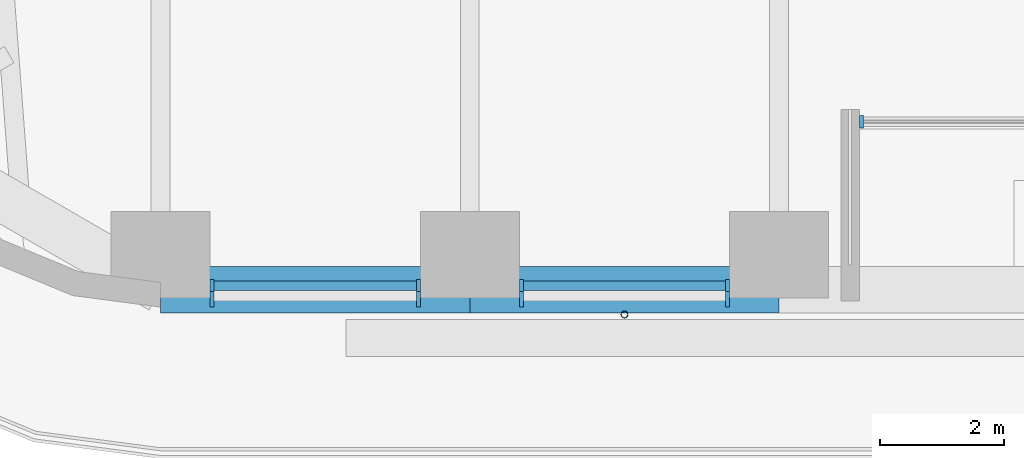
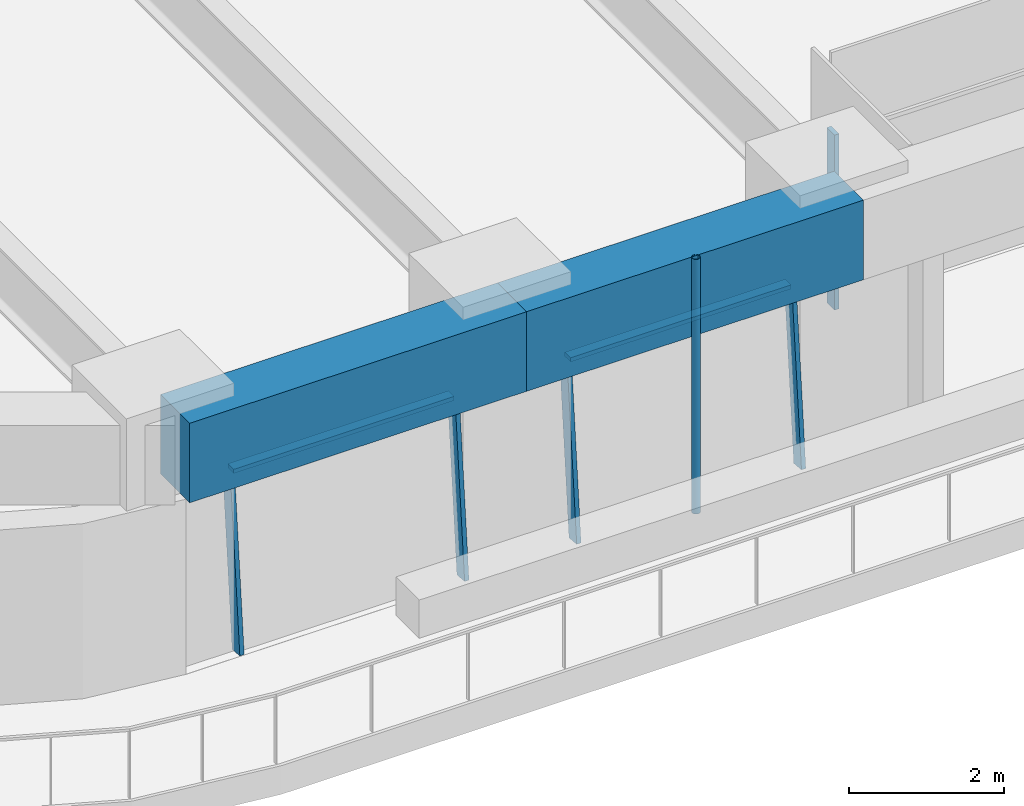
# One storey, part 2 of 24: 8 members, 2 beams, 3 elements without a shape of their own.
"""IFC4 building model written with IfcOpenShell, lengths in metres."""

from ifc_helpers import new_model, si_unit, direction, frame, origin, origin_2d, place, context, subcontext, project, spatial, rectangle, hollow_circle, extrude, material, material_profile, profile_set, type_object, element, aggregate, save


model = new_model("IFC4")

# Units and contexts
model_context = context("Model", 3, precision=1e-05, world=origin(), true_north=direction((0.0, 1.0)))
body_context = subcontext(model_context, "Body", "Model", "MODEL_VIEW")
ifc_project = project(units=[si_unit("LENGTHUNIT", "METRE"), si_unit("AREAUNIT", "SQUARE_METRE"), si_unit("VOLUMEUNIT", "CUBIC_METRE"), si_unit("PLANEANGLEUNIT", "RADIAN"), si_unit("MASSUNIT", "GRAM", prefix="KILO")], contexts=[model_context])

# Site, building, storey
site_placement = place(None, origin())
site = spatial("IfcSite", under=ifc_project, at=site_placement, CompositionType="ELEMENT")
building_placement = place(site_placement, origin())
building = spatial("IfcBuilding", under=site, at=building_placement, Name="Tarfa Lantern Tower", CompositionType="ELEMENT")
storey_placement = place(building_placement, frame((0.0, 0.0, 161.5)))
storey = spatial("IfcBuildingStorey", under=building, at=storey_placement, Name="L36", CompositionType="ELEMENT", Elevation=161.5)

# Curtain wall, members
ifc_material_1 = material(Name="Aluminium framed curtain wall", Category="aluminium")
curtain_wall_type_1 = type_object("IfcCurtainWallType", Name="CW2 CANTED GLAZING MID ZONE 2750", PredefinedType="USERDEFINED", material=ifc_material_1)
curtain_wall_1_placement = place(storey_placement, origin())
curtain_wall_1 = element("IfcCurtainWall", 1, at=curtain_wall_1_placement, inside=storey, type_object=curtain_wall_type_1, Name="CW2 S L36", ObjectType="CURTAIN WALL", PredefinedType="USERDEFINED")
ifc_material_2 = material(Name="Aluminium mullion", Category="aluminium")
ifc_material_profile_1 = material_profile(ifc_material_2, rectangle(XDim=0.06494140625, YDim=0.199951171875, at=origin_2d()), Name="AL MULLION 65x200")
ifc_profile_set_1 = profile_set([ifc_material_profile_1], Name="Aluminium mullion")
member_type_1 = type_object("IfcMemberType", Name="CWM1 MULLION 65x200", PredefinedType="MULLION", material=ifc_profile_set_1)
member_1_placement = place(storey_placement, frame((-14.1787109375, -31.39990234375, 0.0), z_axis=(0.0, 0.090535746043, 0.995893206468), x_axis=(-1.0, 0.0, 0.0)))
member_1 = element("IfcMember", 2, at=member_1_placement, type_object=member_type_1, Name="CW2 mullion 1", PredefinedType="MULLION", context=body_context, shape_type="SweptSolid", body=[
    extrude(rectangle(XDim=0.06494140625, YDim=0.199951171875, at=origin_2d()), origin(), (0.0, 0.0, 1.0), 2.76123046875),
])
member_2_placement = place(storey_placement, frame((-10.83984375, -31.39990234375, 0.0), z_axis=(0.0, 0.090535746043, 0.995893206468), x_axis=(-1.0, 0.0, 0.0)))
member_2 = element("IfcMember", 3, at=member_2_placement, type_object=member_type_1, Name="CW2 mullion 2", PredefinedType="MULLION", context=body_context, shape_type="SweptSolid", body=[
    extrude(rectangle(XDim=0.06494140625, YDim=0.199951171875, at=origin_2d()), origin(), (0.0, 0.0, 1.0), 2.76123046875),
])

curtain_wall_2_placement = place(storey_placement, origin())
curtain_wall_2 = element("IfcCurtainWall", 4, at=curtain_wall_2_placement, inside=storey, type_object=curtain_wall_type_1, Name="CW2 S L36", ObjectType="CURTAIN WALL", PredefinedType="USERDEFINED")
member_3_placement = place(storey_placement, frame((-9.1748046875, -31.39990234375, 0.0), z_axis=(0.0, 0.090535746043, 0.995893206468), x_axis=(-1.0, 0.0, 0.0)))
member_3 = element("IfcMember", 5, at=member_3_placement, type_object=member_type_1, Name="CW2 mullion 1", PredefinedType="MULLION", context=body_context, shape_type="SweptSolid", body=[
    extrude(rectangle(XDim=0.06494140625, YDim=0.199951171875, at=origin_2d()), origin(), (0.0, 0.0, 1.0), 2.76123046875),
])
member_4_placement = place(storey_placement, frame((-5.836181640625, -31.39990234375, 0.0), z_axis=(0.0, 0.090535746043, 0.995893206468), x_axis=(-1.0, 0.0, 0.0)))
member_4 = element("IfcMember", 6, at=member_4_placement, type_object=member_type_1, Name="CW2 mullion 2", PredefinedType="MULLION", context=body_context, shape_type="SweptSolid", body=[
    extrude(rectangle(XDim=0.06494140625, YDim=0.199951171875, at=origin_2d()), origin(), (0.0, 0.0, 1.0), 2.76123046875),
])

# Curtain wall, member
curtain_wall_type_2 = type_object("IfcCurtainWallType", Name="CW10 LOGGIA GLAZING 2750", PredefinedType="USERDEFINED", material=ifc_material_1)
curtain_wall_3_placement = place(storey_placement, origin())
curtain_wall_3 = element("IfcCurtainWall", 7, at=curtain_wall_3_placement, inside=storey, type_object=curtain_wall_type_2, Name="CW10 SL L36", ObjectType="CURTAIN WALL", PredefinedType="USERDEFINED")
member_5_placement = place(storey_placement, frame((-3.671142578125, -28.5, 0.0), z_axis=(0.0, 0.0, 1.0), x_axis=(1.0, 0.0, 0.0)))
member_5 = element("IfcMember", 8, at=member_5_placement, type_object=member_type_1, Name="CW10 mullion 1", PredefinedType="MULLION", context=body_context, shape_type="SweptSolid", body=[
    extrude(rectangle(XDim=0.06494140625, YDim=0.199951171875, at=origin_2d()), origin(), (0.0, 0.0, 1.0), 2.75),
])
aggregate(curtain_wall_3, [member_5])

# Member
ifc_material_3 = material(Name="Aluminium transom", Category="aluminium")
ifc_material_profile_2 = material_profile(ifc_material_3, rectangle(XDim=0.14990234375, YDim=0.06494140625, at=origin_2d()), Name="AL TRANSOM 150x65")
ifc_profile_set_2 = profile_set([ifc_material_profile_2], Name="Aluminium transom")
member_type_2 = type_object("IfcMemberType", Name="CWT1 TRANSOM 150x65", PredefinedType="USERDEFINED", material=ifc_profile_set_2)
member_6_placement = place(storey_placement, frame((-14.14599609375, -31.153076171875, 2.717529296875), z_axis=(1.0, 0.0, 0.0), x_axis=(0.0, 1.0, 0.0)))
member_6 = element("IfcMember", 9, at=member_6_placement, type_object=member_type_2, Name="CW2 transom 1.2", ObjectType="TRANSOM", PredefinedType="USERDEFINED", context=body_context, shape_type="SweptSolid", body=[
    extrude(rectangle(XDim=0.14990234375, YDim=0.06494140625, at=origin_2d()), origin(), (0.0, 0.0, 1.0), 3.273681640625),
])

aggregate(curtain_wall_1, [member_1, member_2, member_6])

member_7_placement = place(storey_placement, frame((-9.142333984375, -31.153076171875, 2.717529296875), z_axis=(1.0, 0.0, 0.0), x_axis=(0.0, 1.0, 0.0)))
member_7 = element("IfcMember", 10, at=member_7_placement, type_object=member_type_2, Name="CW2 transom 1.2", ObjectType="TRANSOM", PredefinedType="USERDEFINED", context=body_context, shape_type="SweptSolid", body=[
    extrude(rectangle(XDim=0.14990234375, YDim=0.06494140625, at=origin_2d()), origin(), (0.0, 0.0, 1.0), 3.273681640625),
])

aggregate(curtain_wall_2, [member_3, member_4, member_7])

# Beams
ifc_material_4 = material(Name="Concrete C80/95", Category="concrete")
ifc_material_profile_3 = material_profile(ifc_material_4, rectangle(XDim=0.75, YDim=1.25, at=origin_2d()), Name="RC 750x1250")
ifc_profile_set_3 = profile_set([ifc_material_profile_3], Name="Concrete C80/95")
beam_type = type_object("IfcBeamType", Name="EB2 RC 750x1250", PredefinedType="SPANDREL", material=ifc_profile_set_3)
for number, where, z_axis, x_axis, name in (
    (11, (-15.010986328125, -31.219970703125, 3.375), (1.0, 0.0, 0.0), (0.0, 1.0, 0.0), "Edge beam S0"),
    (12, (-10.00732421875, -31.219970703125, 3.375), (1.0, 0.0, 0.0), (0.0, 1.0, 0.0), "Edge beam S1"),
):
    element("IfcBeam", number, at=place(storey_placement, frame(where, z_axis=z_axis, x_axis=x_axis)), inside=storey, type_object=beam_type, Name=name, PredefinedType="SPANDREL", context=body_context, shape_type="SweptSolid", body=[
        extrude(rectangle(XDim=0.75, YDim=1.25, at=origin_2d()), origin(), (0.0, 0.0, 1.0), 5.003662109375),
    ])

# Member
ifc_material_5 = material(Name="Steel S355", Category="steel")
ifc_material_profile_4 = material_profile(ifc_material_5, hollow_circle(Radius=0.05712890625, WallThickness=0.00634765625, at=origin_2d()), Name="CHS114.3x6.3")
ifc_profile_set_4 = profile_set([ifc_material_profile_4], Name="Steel S355")
member_type_3 = type_object("IfcMemberType", Name="TR1 GREEN WALL TRELLIS CHS114.3x6.3", PredefinedType="USERDEFINED", material=ifc_profile_set_4)
member_8_placement = place(storey_placement, frame((-7.505615234375, -31.6201171875, 0.0), z_axis=(0.0, 0.0, 1.0), x_axis=(1.0, 0.0, 0.0)))
element("IfcMember", 13, at=member_8_placement, inside=storey, type_object=member_type_3, Name="Trellis post S 1", ObjectType="TRELLIS", PredefinedType="USERDEFINED", context=body_context, shape_type="SweptSolid", body=[
    extrude(hollow_circle(Radius=0.05712890625, WallThickness=0.00634765625, at=origin_2d()), origin(), (0.0, 0.0, 1.0), 4.0),
])

save(model, "model.ifc")
